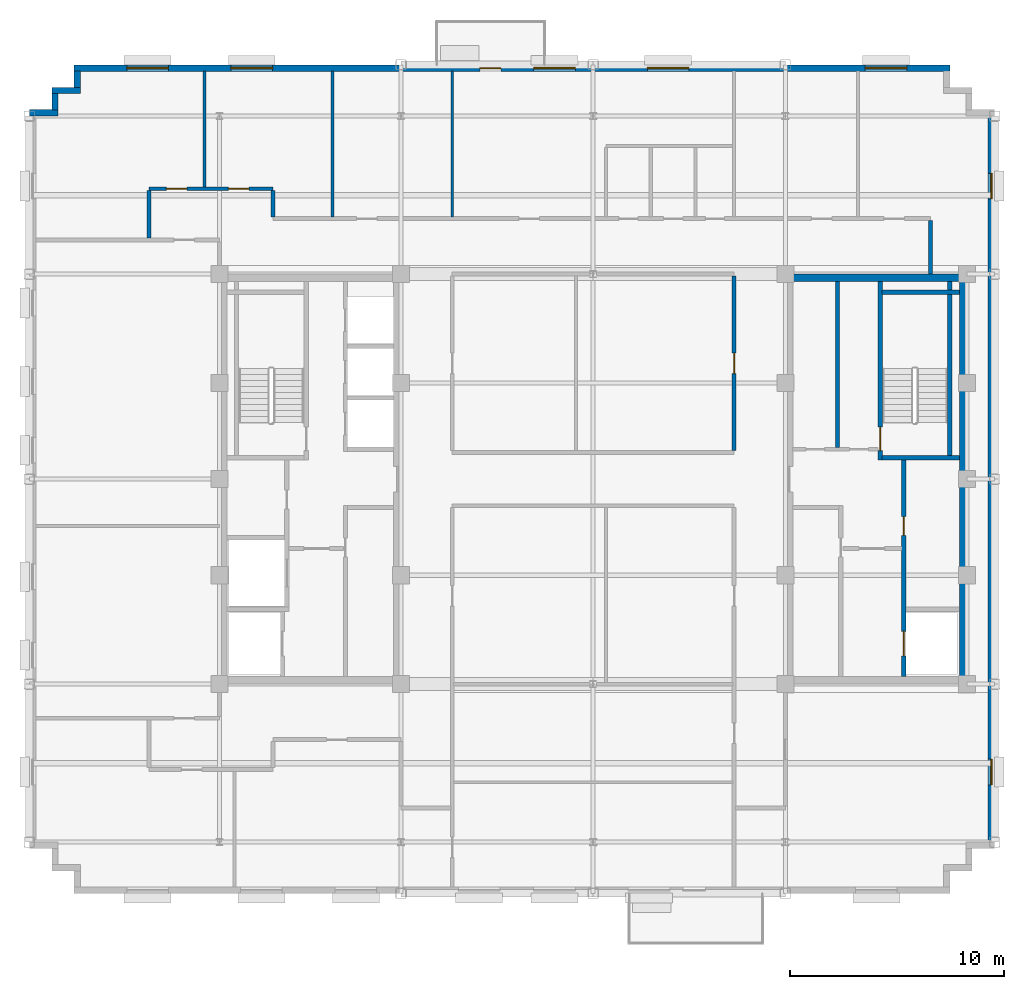
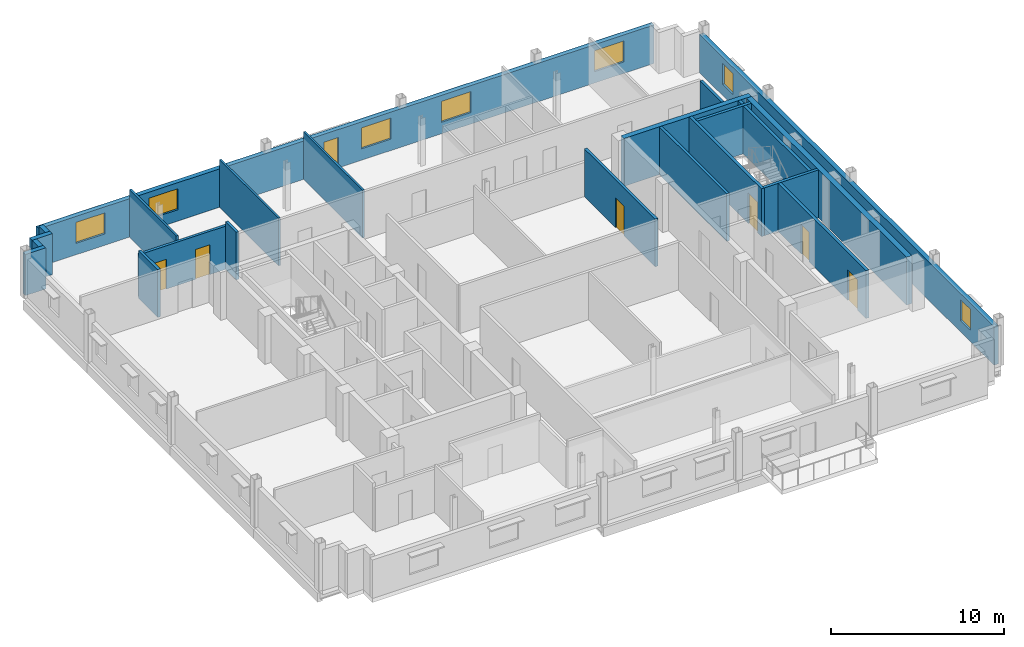
# One storey, part 8 of 13: 22 walls, 7 doors, 7 windows, 14 openings.
"""IFC4 building model written with IfcOpenShell, lengths in metres."""

import ifcopenshell
import ifcopenshell.guid

model = None  # the IFC model being written
_history = None  # IfcOwnerHistory: only IFC2X3 demands one
_inside = {}  # id of a spatial element -> (the spatial element, [elements in it])
_under = {}  # id of a project, library or spatial element -> (it, [spatial elements below it])
_declared = {}  # id of a project -> (the project, [libraries it declares])
_typed = {}  # id of a type object -> (the type object, [elements of that type])
_made_of = {}  # id of a material, layer set ... -> (it, [elements and type objects made of it])


def new_model(schema):
    """Start an empty IFC model of exactly this schema.

    Asked for "IFC4X3", IfcOpenShell would pick the latest addendum, in which some entities
    have other attributes; the version numbers below select the first issue.
    IFC2X3 requires an IfcOwnerHistory on every rooted entity: one is made here for all.
    """
    global model, _history
    if schema == "IFC4X3":
        model = ifcopenshell.file(schema_version=(4, 3, 0, 0))
    else:
        model = ifcopenshell.file(schema=schema)
    _inside.clear()
    _under.clear()
    _declared.clear()
    _typed.clear()
    _made_of.clear()
    _history = None
    if model.schema == "IFC2X3":
        org = make("IfcOrganization", Name="unknown")
        user = make(
            "IfcPersonAndOrganization",
            ThePerson=make("IfcPerson", FamilyName="unknown"),
            TheOrganization=org,
        )
        app = make(
            "IfcApplication",
            ApplicationDeveloper=org,
            Version="unknown",
            ApplicationFullName="unknown",
            ApplicationIdentifier="unknown",
        )
        _history = make(
            "IfcOwnerHistory",
            OwningUser=user,
            OwningApplication=app,
            ChangeAction="ADDED",
            CreationDate=0,
        )
    return model


def make(cls, **values):
    """One entity of the class cls with the attributes given. An attribute that is None is left unset."""
    return model.create_entity(
        cls, **{name: value for name, value in values.items() if value is not None}
    )


def rooted(cls, **values):
    """An entity with a GlobalId (a new one), such as an element, a storey or a relation."""
    return make(cls, GlobalId=ifcopenshell.guid.new(), OwnerHistory=_history, **values)


def si_unit(unit_type, name, prefix=None):
    """IfcSIUnit, for example si_unit("LENGTHUNIT", "METRE", prefix="MILLI")."""
    return make("IfcSIUnit", UnitType=unit_type, Prefix=prefix, Name=name)


def assignment(units):
    """IfcUnitAssignment: the units of a project."""
    return None if units is None else make("IfcUnitAssignment", Units=units)


def point(xyz):
    """IfcCartesianPoint."""
    return None if xyz is None else make("IfcCartesianPoint", Coordinates=xyz)


def direction(xyz):
    """IfcDirection."""
    return None if xyz is None else make("IfcDirection", DirectionRatios=xyz)


def frame(location, z_axis=None, x_axis=None):
    """IfcAxis2Placement3D, a coordinate frame: its origin and axes. An axis left out is left unset."""
    return make(
        "IfcAxis2Placement3D",
        Location=point(location),
        Axis=direction(z_axis),
        RefDirection=direction(x_axis),
    )


def frame_2d(location, x_axis=None):
    """IfcAxis2Placement2D, a coordinate frame in the plane: its origin and x axis."""
    return make(
        "IfcAxis2Placement2D", Location=point(location), RefDirection=direction(x_axis)
    )


def origin():
    """The frame at (0, 0, 0) with its axes left unset."""
    return frame((0.0, 0.0, 0.0))


def place(relative_to, where):
    """IfcLocalPlacement: puts the frame where relative to a parent placement (None: the world)."""
    return make(
        "IfcLocalPlacement", PlacementRelTo=relative_to, RelativePlacement=where
    )


def context(
    kind, dimensions, precision=None, world=None, true_north=None, identifier=None
):
    """IfcGeometricRepresentationContext, for example the 3D "Model" context."""
    return make(
        "IfcGeometricRepresentationContext",
        ContextIdentifier=identifier,
        ContextType=kind,
        CoordinateSpaceDimension=dimensions,
        Precision=precision,
        WorldCoordinateSystem=world,
        TrueNorth=true_north,
    )


def subcontext(parent, identifier, kind, view, scale=None):
    """IfcGeometricRepresentationSubContext, for example "Body" below "Model"."""
    return make(
        "IfcGeometricRepresentationSubContext",
        ContextIdentifier=identifier,
        ContextType=kind,
        ParentContext=parent,
        TargetScale=scale,
        TargetView=view,
    )


def project(units=None, contexts=None):
    """IfcProject with its units and contexts."""
    return rooted(
        "IfcProject",
        Name="project",
        RepresentationContexts=contexts,
        UnitsInContext=assignment(units),
    )


def spatial(cls, under=None, at=None, **own):
    """A site, building, storey or space (cls), placed at a placement, below another one or the project."""
    s = rooted(cls, ObjectPlacement=at, **own)
    if under is not None:
        _under.setdefault(under.id(), (under, []))[1].append(s)
    return s


def profile(cls, at=None, kind="AREA", **sizes):
    """A parametric profile (cls). Its sizes go by their IFC names, for example OverallWidth=200.0."""
    return make(cls, ProfileType=kind, Position=at, **sizes)


def rectangle(**sizes):
    """IfcRectangleProfileDef."""
    return profile("IfcRectangleProfileDef", **sizes)


def extrude(swept, where, along, depth):
    """IfcExtrudedAreaSolid: the profile swept, set in the frame where, extruded along a direction by depth."""
    return make(
        "IfcExtrudedAreaSolid",
        SweptArea=swept,
        Position=where,
        ExtrudedDirection=direction(along),
        Depth=depth,
    )


def shape(context_of_items, identifier, shape_type, items):
    """IfcShapeRepresentation: the items that make up one representation, for example the "Body"."""
    return make(
        "IfcShapeRepresentation",
        ContextOfItems=context_of_items,
        RepresentationIdentifier=identifier,
        RepresentationType=shape_type,
        Items=items,
    )


def source(mapping_origin, context_of_items, identifier, shape_type, items):
    """IfcRepresentationMap: a shape defined once, which mapped items show again and again."""
    return make(
        "IfcRepresentationMap",
        MappingOrigin=mapping_origin,
        MappedRepresentation=shape(context_of_items, identifier, shape_type, items),
    )


def transform(
    local_origin,
    x_axis=None,
    y_axis=None,
    z_axis=None,
    scale=None,
    scale2=None,
    scale3=None,
    uniform=True,
):
    """IfcCartesianTransformationOperator3D, or its non-uniform kind. x_axis, y_axis, z_axis: its Axis1, 2, 3."""
    if uniform:
        return make(
            "IfcCartesianTransformationOperator3D",
            Axis1=direction(x_axis),
            Axis2=direction(y_axis),
            LocalOrigin=point(local_origin),
            Scale=scale,
            Axis3=direction(z_axis),
        )
    return make(
        "IfcCartesianTransformationOperator3DnonUniform",
        Axis1=direction(x_axis),
        Axis2=direction(y_axis),
        LocalOrigin=point(local_origin),
        Scale=scale,
        Axis3=direction(z_axis),
        Scale2=scale2,
        Scale3=scale3,
    )


def mapped(mapping_source, mapping_target):
    """IfcMappedItem: shows the shape of a source again, moved by a transform."""
    return make(
        "IfcMappedItem", MappingSource=mapping_source, MappingTarget=mapping_target
    )


def material(Name=None, Category=None):
    """IfcMaterial."""
    return make("IfcMaterial", Name=Name, Category=Category)


def layer(
    of_material, thickness, ventilated=None, Name=None, Category=None, Priority=None
):
    """IfcMaterialLayer: one layer of a wall or slab, of a material (None: an air gap)."""
    return make(
        "IfcMaterialLayer",
        Material=of_material,
        LayerThickness=thickness,
        IsVentilated=ventilated,
        Name=Name,
        Category=Category,
        Priority=Priority,
    )


def layer_set(layers, Name=None):
    """IfcMaterialLayerSet."""
    return make("IfcMaterialLayerSet", MaterialLayers=layers, LayerSetName=Name)


def made_of(thing, what):
    """Note that an element or type object is made of a material, layer set ...; save() writes the relation."""
    if what is not None:
        _made_of.setdefault(what.id(), (what, []))[1].append(thing)
    return thing


def type_object(cls, material=None, **own):
    """A type object (cls), such as IfcWallType, which elements share."""
    return made_of(rooted(cls, **own), material)


def type_shapes(of_type, sources):
    """Give a type object the sources (RepresentationMaps) that its elements show as mapped items."""
    of_type.RepresentationMaps = sources


def element(
    cls,
    number,
    at=None,
    inside=None,
    cuts=None,
    type_object=None,
    material=None,
    context=None,
    identifier="Body",
    shape_type=None,
    held_by="IfcProductDefinitionShape",
    body=None,
    shapes=None,
    **own,
):
    """One element of the class cls, such as IfcWall. Its Tag is "e" and its number.

    at: its placement. inside: the storey or other place that contains it. cuts: it is an
    opening in that element (IfcRelVoidsElement). A single representation is given by context,
    identifier, shape_type and body (its items); several are given by shapes. held_by: the class
    of the entity that holds the representations. save() writes the other relations.
    """
    e = rooted(cls, Tag="e%d" % number, ObjectPlacement=at, **own)
    if body is not None:
        shapes = [shape(context, identifier, shape_type, body)]
    if shapes is not None:
        e.Representation = make(held_by, Representations=shapes)
    if inside is not None:
        _inside.setdefault(inside.id(), (inside, []))[1].append(e)
    if cuts is not None:
        rooted(
            "IfcRelVoidsElement", RelatingBuildingElement=cuts, RelatedOpeningElement=e
        )
    if type_object is not None:
        _typed.setdefault(type_object.id(), (type_object, []))[1].append(e)
    return made_of(e, material)


def fill(opening, filler):
    """IfcRelFillsElement: the door or window that sits in an opening."""
    return rooted(
        "IfcRelFillsElement",
        RelatingOpeningElement=opening,
        RelatedBuildingElement=filler,
    )


def aggregate(whole, parts):
    """IfcRelAggregates: a whole, such as a stair, and the parts it consists of."""
    return rooted("IfcRelAggregates", RelatingObject=whole, RelatedObjects=parts)


def save(model, path):
    """Write the relations noted so far, then the file.

    IfcRelAggregates (storeys below a building ...), IfcRelContainedInSpatialStructure (elements
    in a storey), IfcRelDefinesByType, IfcRelAssociatesMaterial and IfcRelDeclares: one each for
    every whole, place, type object, material and project.
    """
    for whole, parts in _under.values():
        aggregate(whole, parts)
    for where, things in _inside.values():
        rooted(
            "IfcRelContainedInSpatialStructure",
            RelatedElements=things,
            RelatingStructure=where,
        )
    for kind, things in _typed.values():
        rooted("IfcRelDefinesByType", RelatedObjects=things, RelatingType=kind)
    for what, things in _made_of.values():
        rooted("IfcRelAssociatesMaterial", RelatedObjects=things, RelatingMaterial=what)
    for by, libraries in _declared.values():
        rooted("IfcRelDeclares", RelatingContext=by, RelatedDefinitions=libraries)
    model.write(path)


model = new_model("IFC4")

# Units and contexts
model_context = context("Model", 3, precision=1e-05, world=origin(), true_north=direction((0.0, 1.0)))
body_context = subcontext(model_context, "Body", "Model", "MODEL_VIEW")
ifc_project = project(units=[si_unit("LENGTHUNIT", "METRE"), si_unit("AREAUNIT", "SQUARE_METRE"), si_unit("VOLUMEUNIT", "CUBIC_METRE"), si_unit("PLANEANGLEUNIT", "RADIAN"), si_unit("MASSUNIT", "GRAM", prefix="KILO")], contexts=[model_context])

# Site, building, storey
site_placement = place(None, origin())
site = spatial("IfcSite", under=ifc_project, at=site_placement, CompositionType="ELEMENT")
building_placement = place(site_placement, origin())
building = spatial("IfcBuilding", under=site, at=building_placement, Name="Nuvemarco Arch Tower", CompositionType="ELEMENT")
storey_placement = place(building_placement, frame((0.0, 0.0, 234.699951171875)))
storey = spatial("IfcBuildingStorey", under=building, at=storey_placement, Name="L62", CompositionType="ELEMENT", Elevation=234.699951171875)

# Wall, openings, windows
ifc_material_1 = material(Name="Precast concrete C45/55", Category="concrete")
ifc_layer_1 = layer(ifc_material_1, 0.300048828125, Name="EW-HIGH-300")
ifc_layer_set_1 = layer_set([ifc_layer_1], Name="Precast concrete C45/55")
wall_type_1 = type_object("IfcWallType", Name="EW-HIGH-300", PredefinedType="STANDARD", material=ifc_layer_set_1)
wall_1_placement = place(storey_placement, frame((18.64990234375, -17.00390625, 0.0), z_axis=(0.0, 0.0, 1.0), x_axis=(0.0, 1.0, 0.0)))
wall_1 = element("IfcWall", 1, at=wall_1_placement, inside=storey, type_object=wall_type_1, Name="L62 exterior precast facade wall 6", PredefinedType="STANDARD", context=body_context, shape_type="SweptSolid", body=[
    extrude(rectangle(XDim=34.0078125, YDim=0.300048828125, at=frame_2d((17.00390625, 0.0))), origin(), (0.0, 0.0, 1.0), 2.705078125),
])
opening_1_placement = place(wall_1_placement, frame((2.686279296875, 0.0, 0.800048828125)))
opening_1 = element("IfcOpeningElement", 2, at=opening_1_placement, cuts=wall_1, Name="Opening WN-8", PredefinedType="OPENING", context=body_context, shape_type="SweptSolid", body=[
    extrude(rectangle(XDim=1.199951171875, YDim=1.47998046875, at=frame_2d((0.60009765625, 0.739990234375))), frame((0.0, 0.159912109375, 0.0), z_axis=(0.0, -1.0, 0.0), x_axis=(1.0, 0.0, 0.0)), (0.0, 0.0, 1.0), 0.320068359375),
])
opening_2_placement = place(wall_1_placement, frame((30.12158203125, 0.0, 0.800048828125)))
opening_2 = element("IfcOpeningElement", 3, at=opening_2_placement, cuts=wall_1, Name="Opening WN-8", PredefinedType="OPENING", context=body_context, shape_type="SweptSolid", body=[
    extrude(rectangle(XDim=1.199951171875, YDim=1.47998046875, at=frame_2d((0.60009765625, 0.739990234375))), frame((0.0, 0.159912109375, 0.0), z_axis=(0.0, -1.0, 0.0), x_axis=(1.0, 0.0, 0.0)), (0.0, 0.0, 1.0), 0.320068359375),
])
ifc_material_2 = material(Name="Insulated solar-control glass", Category="glass")
window_type_1 = type_object("IfcWindowType", Name="WN-HIGH-1200x1480", PartitioningType="SINGLE_PANEL", PredefinedType="WINDOW", material=ifc_material_2)
shared_shape_1 = source(origin(), body_context, "Body", "SweptSolid", [
    extrude(rectangle(XDim=1.199951171875, YDim=1.47998046875, at=frame_2d((0.60009765625, 0.739990234375))), frame((0.0, 0.030029296875, 0.0), z_axis=(0.0, -1.0, 0.0), x_axis=(1.0, 0.0, 0.0)), (0.0, 0.0, 1.0), 0.06005859375),
])
type_shapes(window_type_1, [shared_shape_1])
window_1_placement = place(opening_1_placement, origin())
window_1 = element("IfcWindow", 4, at=window_1_placement, inside=storey, type_object=window_type_1, Name="L62 punched facade window 1", OverallHeight=1.47998046875, OverallWidth=1.199951171875, PartitioningType="SINGLE_PANEL", PredefinedType="WINDOW", context=body_context, shape_type="MappedRepresentation", body=[
    mapped(shared_shape_1, transform((0.0, 0.0, 0.0), scale=1.0)),
])
fill(opening_1, window_1)
window_2_placement = place(opening_2_placement, origin())
window_2 = element("IfcWindow", 5, at=window_2_placement, inside=storey, type_object=window_type_1, Name="L62 punched facade window 7", OverallHeight=1.47998046875, OverallWidth=1.199951171875, PartitioningType="SINGLE_PANEL", PredefinedType="WINDOW", context=body_context, shape_type="MappedRepresentation", body=[
    mapped(shared_shape_1, transform((0.0, 0.0, 0.0), scale=1.0)),
])
fill(opening_2, window_2)

# Wall, openings, door, windows
wall_2_placement = place(storey_placement, frame((-24.300048828125, 19.25, 0.0), z_axis=(0.0, 0.0, 1.0), x_axis=(1.0, 0.0, 0.0)))
wall_2 = element("IfcWall", 6, at=wall_2_placement, inside=storey, type_object=wall_type_1, Name="L62 exterior precast facade wall 11", PredefinedType="STANDARD", context=body_context, shape_type="SweptSolid", body=[
    extrude(rectangle(XDim=41.0, YDim=0.300048828125, at=frame_2d((20.5, 0.0))), origin(), (0.0, 0.0, 1.0), 2.705078125),
])
opening_3_placement = place(wall_2_placement, frame((19.0, 0.0, 0.0)))
opening_3 = element("IfcOpeningElement", 7, at=opening_3_placement, cuts=wall_2, Name="Opening ED-6", PredefinedType="OPENING", context=body_context, shape_type="SweptSolid", body=[
    extrude(rectangle(XDim=0.97998046875, YDim=2.14990234375, at=frame_2d((0.489990234375, 1.074951171875))), frame((0.0, 0.159912109375, 0.0), z_axis=(0.0, -1.0, 0.0), x_axis=(1.0, 0.0, 0.0)), (0.0, 0.0, 1.0), 0.320068359375),
])
opening_4_placement = place(wall_2_placement, frame((2.46240234375, 0.0, 0.800048828125)))
opening_4 = element("IfcOpeningElement", 8, at=opening_4_placement, cuts=wall_2, Name="Opening WN-7", PredefinedType="OPENING", context=body_context, shape_type="SweptSolid", body=[
    extrude(rectangle(XDim=1.949951171875, YDim=1.47998046875, at=frame_2d((0.97509765625, 0.739990234375))), frame((0.0, 0.159912109375, 0.0), z_axis=(0.0, -1.0, 0.0), x_axis=(1.0, 0.0, 0.0)), (0.0, 0.0, 1.0), 0.320068359375),
])
opening_5_placement = place(wall_2_placement, frame((7.33740234375, 0.0, 0.800048828125)))
opening_5 = element("IfcOpeningElement", 9, at=opening_5_placement, cuts=wall_2, Name="Opening WN-7", PredefinedType="OPENING", context=body_context, shape_type="SweptSolid", body=[
    extrude(rectangle(XDim=1.949951171875, YDim=1.47998046875, at=frame_2d((0.97509765625, 0.739990234375))), frame((0.0, 0.159912109375, 0.0), z_axis=(0.0, -1.0, 0.0), x_axis=(1.0, 0.0, 0.0)), (0.0, 0.0, 1.0), 0.320068359375),
])
opening_6_placement = place(wall_2_placement, frame((21.512451171875, 0.0, 0.800048828125)))
opening_6 = element("IfcOpeningElement", 10, at=opening_6_placement, cuts=wall_2, Name="Opening WN-7", PredefinedType="OPENING", context=body_context, shape_type="SweptSolid", body=[
    extrude(rectangle(XDim=1.949951171875, YDim=1.47998046875, at=frame_2d((0.97509765625, 0.739990234375))), frame((0.0, 0.159912109375, 0.0), z_axis=(0.0, -1.0, 0.0), x_axis=(1.0, 0.0, 0.0)), (0.0, 0.0, 1.0), 0.320068359375),
])
opening_7_placement = place(wall_2_placement, frame((26.83740234375, 0.0, 0.800048828125)))
opening_7 = element("IfcOpeningElement", 11, at=opening_7_placement, cuts=wall_2, Name="Opening WN-7", PredefinedType="OPENING", context=body_context, shape_type="SweptSolid", body=[
    extrude(rectangle(XDim=1.949951171875, YDim=1.47998046875, at=frame_2d((0.97509765625, 0.739990234375))), frame((0.0, 0.159912109375, 0.0), z_axis=(0.0, -1.0, 0.0), x_axis=(1.0, 0.0, 0.0)), (0.0, 0.0, 1.0), 0.320068359375),
])
opening_8_placement = place(wall_2_placement, frame((37.03759765625, 0.0, 0.800048828125)))
opening_8 = element("IfcOpeningElement", 12, at=opening_8_placement, cuts=wall_2, Name="Opening WN-7", PredefinedType="OPENING", context=body_context, shape_type="SweptSolid", body=[
    extrude(rectangle(XDim=1.949951171875, YDim=1.47998046875, at=frame_2d((0.97509765625, 0.739990234375))), frame((0.0, 0.159912109375, 0.0), z_axis=(0.0, -1.0, 0.0), x_axis=(1.0, 0.0, 0.0)), (0.0, 0.0, 1.0), 0.320068359375),
])
ifc_material_3 = material(Name="Anodised bronze and laminated glass", Category="glass")
door_type_1 = type_object("IfcDoorType", Name="DR-EXT-BALC", OperationType="NOTDEFINED", PredefinedType="DOOR", material=ifc_material_3)
shared_shape_2 = source(origin(), body_context, "Body", "SweptSolid", [
    extrude(rectangle(XDim=0.97998046875, YDim=2.14990234375, at=frame_2d((0.489990234375, 1.074951171875))), frame((0.0, 0.02490234375, 0.0), z_axis=(0.0, -1.0, 0.0), x_axis=(1.0, 0.0, 0.0)), (0.0, 0.0, 1.0), 0.050048828125),
])
type_shapes(door_type_1, [shared_shape_2])
door_1_placement = place(opening_3_placement, origin())
door_1 = element("IfcDoor", 13, at=door_1_placement, inside=storey, type_object=door_type_1, Name="L62 tree balcony access door", OperationType="SINGLE_SWING_LEFT", OverallHeight=2.14990234375, OverallWidth=0.97998046875, PredefinedType="DOOR", context=body_context, shape_type="MappedRepresentation", body=[
    mapped(shared_shape_2, transform((0.0, 0.0, 0.0), scale=1.0)),
])
fill(opening_3, door_1)
window_type_2 = type_object("IfcWindowType", Name="WN-HIGH-1950x1480", PartitioningType="DOUBLE_PANEL_VERTICAL", PredefinedType="WINDOW", material=ifc_material_2)
shared_shape_3 = source(origin(), body_context, "Body", "SweptSolid", [
    extrude(rectangle(XDim=1.949951171875, YDim=1.47998046875, at=frame_2d((0.97509765625, 0.739990234375))), frame((0.0, 0.030029296875, 0.0), z_axis=(0.0, -1.0, 0.0), x_axis=(1.0, 0.0, 0.0)), (0.0, 0.0, 1.0), 0.06005859375),
])
type_shapes(window_type_2, [shared_shape_3])
window_3_placement = place(opening_4_placement, origin())
window_3 = element("IfcWindow", 14, at=window_3_placement, inside=storey, type_object=window_type_2, Name="L62 punched facade window 1", OverallHeight=1.47998046875, OverallWidth=1.949951171875, PartitioningType="SINGLE_PANEL", PredefinedType="WINDOW", context=body_context, shape_type="MappedRepresentation", body=[
    mapped(shared_shape_3, transform((0.0, 0.0, 0.0), scale=1.0)),
])
fill(opening_4, window_3)
window_4_placement = place(opening_5_placement, origin())
window_4 = element("IfcWindow", 15, at=window_4_placement, inside=storey, type_object=window_type_2, Name="L62 punched facade window 2", OverallHeight=1.47998046875, OverallWidth=1.949951171875, PartitioningType="SINGLE_PANEL", PredefinedType="WINDOW", context=body_context, shape_type="MappedRepresentation", body=[
    mapped(shared_shape_3, transform((0.0, 0.0, 0.0), scale=1.0)),
])
fill(opening_5, window_4)
window_5_placement = place(opening_6_placement, origin())
window_5 = element("IfcWindow", 16, at=window_5_placement, inside=storey, type_object=window_type_2, Name="L62 punched facade window 5", OverallHeight=1.47998046875, OverallWidth=1.949951171875, PartitioningType="SINGLE_PANEL", PredefinedType="WINDOW", context=body_context, shape_type="MappedRepresentation", body=[
    mapped(shared_shape_3, transform((0.0, 0.0, 0.0), scale=1.0)),
])
fill(opening_6, window_5)
window_6_placement = place(opening_7_placement, origin())
window_6 = element("IfcWindow", 17, at=window_6_placement, inside=storey, type_object=window_type_2, Name="L62 punched facade window 6", OverallHeight=1.47998046875, OverallWidth=1.949951171875, PartitioningType="SINGLE_PANEL", PredefinedType="WINDOW", context=body_context, shape_type="MappedRepresentation", body=[
    mapped(shared_shape_3, transform((0.0, 0.0, 0.0), scale=1.0)),
])
fill(opening_7, window_6)
window_7_placement = place(opening_8_placement, origin())
window_7 = element("IfcWindow", 18, at=window_7_placement, inside=storey, type_object=window_type_2, Name="L62 punched facade window 8", OverallHeight=1.47998046875, OverallWidth=1.949951171875, PartitioningType="SINGLE_PANEL", PredefinedType="WINDOW", context=body_context, shape_type="MappedRepresentation", body=[
    mapped(shared_shape_3, transform((0.0, 0.0, 0.0), scale=1.0)),
])
fill(opening_8, window_7)

# Walls
wall_3_placement = place(storey_placement, frame((-24.14990234375, 18.345947265625, 0.0), z_axis=(0.0, 0.0, 1.0), x_axis=(0.0, 1.0, 0.0)))
element("IfcWall", 19, at=wall_3_placement, inside=storey, type_object=wall_type_1, Name="L62 exterior precast facade wall 12", PredefinedType="STANDARD", context=body_context, shape_type="SweptSolid", body=[
    extrude(rectangle(XDim=0.758056640625, YDim=0.300048828125, at=frame_2d((0.37890625, 0.0))), origin(), (0.0, 0.0, 1.0), 2.89208984375),
])
wall_4_placement = place(storey_placement, frame((-25.35009765625, 18.199951171875, 0.0), z_axis=(0.0, 0.0, 1.0), x_axis=(1.0, 0.0, 0.0)))
element("IfcWall", 20, at=wall_4_placement, inside=storey, type_object=wall_type_1, Name="L62 exterior precast facade wall 13", PredefinedType="STANDARD", context=body_context, shape_type="SweptSolid", body=[
    extrude(rectangle(XDim=1.35009765625, YDim=0.300048828125, at=frame_2d((0.675048828125, 0.0))), origin(), (0.0, 0.0, 1.0), 2.89208984375),
])
wall_5_placement = place(storey_placement, frame((-25.199951171875, 17.2958984375, 0.0), z_axis=(0.0, 0.0, 1.0), x_axis=(0.0, 1.0, 0.0)))
element("IfcWall", 21, at=wall_5_placement, inside=storey, type_object=wall_type_1, Name="L62 exterior precast facade wall 14", PredefinedType="STANDARD", context=body_context, shape_type="SweptSolid", body=[
    extrude(rectangle(XDim=0.758056640625, YDim=0.300048828125, at=frame_2d((0.37890625, 0.0))), origin(), (0.0, 0.0, 1.0), 2.89208984375),
])
wall_6_placement = place(storey_placement, frame((-26.39990234375, 17.14990234375, 0.0), z_axis=(0.0, 0.0, 1.0), x_axis=(1.0, 0.0, 0.0)))
element("IfcWall", 22, at=wall_6_placement, inside=storey, type_object=wall_type_1, Name="L62 exterior precast facade wall 15", PredefinedType="STANDARD", context=body_context, shape_type="SweptSolid", body=[
    extrude(rectangle(XDim=1.349853515625, YDim=0.300048828125, at=frame_2d((0.6748046875, 0.0))), origin(), (0.0, 0.0, 1.0), 2.89208984375),
])
ifc_material_4 = material(Name="Concrete C50/60", Category="concrete")
ifc_layer_2 = layer(ifc_material_4, 0.35009765625, Name="WL-CORE-350")
ifc_layer_set_2 = layer_set([ifc_layer_2], Name="Concrete C50/60")
wall_type_2 = type_object("IfcWallType", Name="WL-CORE-350", PredefinedType="SHEAR", material=ifc_layer_set_2)
wall_7_placement = place(storey_placement, frame((9.0, 9.425048828125, 0.0), z_axis=(0.0, 0.0, 1.0), x_axis=(1.0, 0.0, 0.0)))
element("IfcWall", 23, at=wall_7_placement, inside=storey, type_object=wall_type_2, Name="L62 E-core shear wall N", PredefinedType="SHEAR", context=body_context, shape_type="SweptSolid", body=[
    extrude(rectangle(XDim=8.5, YDim=0.35009765625, at=frame_2d((4.25, 0.0))), origin(), (0.0, 0.0, 1.0), 3.3701171875),
])
wall_8_placement = place(storey_placement, frame((17.324951171875, -9.2548828125, 0.0), z_axis=(0.0, 0.0, 1.0), x_axis=(0.0, 1.0, 0.0)))
element("IfcWall", 24, at=wall_8_placement, inside=storey, type_object=wall_type_2, Name="L62 E-core shear wall E", PredefinedType="SHEAR", context=body_context, shape_type="SweptSolid", body=[
    extrude(rectangle(XDim=18.509765625, YDim=0.35009765625, at=frame_2d((9.2548828125, 0.0))), origin(), (0.0, 0.0, 1.0), 3.3701171875),
])
ifc_material_5 = material(Name="Fire-rated gypsum drywall partition")
ifc_layer_3 = layer(ifc_material_5, 0.179931640625, Name="WL-CORR-180")
ifc_layer_set_3 = layer_set([ifc_layer_3], Name="Fire-rated gypsum drywall partition")
wall_type_3 = type_object("IfcWallType", Name="WL-CORR-180", PredefinedType="PARTITIONING", material=ifc_layer_set_3)
wall_9_placement = place(storey_placement, frame((11.449951171875, 1.489990234375, 0.0), z_axis=(0.0, 0.0, 1.0), x_axis=(0.0, 1.0, 0.0)))
element("IfcWall", 25, at=wall_9_placement, inside=storey, type_object=wall_type_3, Name="L62 interior wall IW-L62-EK2", PredefinedType="PARTITIONING", context=body_context, shape_type="SweptSolid", body=[
    extrude(rectangle(XDim=7.764892578125, YDim=0.179931640625, at=frame_2d((3.88232421875, 0.0))), origin(), (0.0, 0.0, 1.0), 3.360107421875),
])

# Wall, openings, doors
wall_10_placement = place(storey_placement, frame((-20.800048828125, 13.60009765625, 0.0), z_axis=(0.0, 0.0, 1.0), x_axis=(1.0, 0.0, 0.0)))
wall_10 = element("IfcWall", 26, at=wall_10_placement, inside=storey, type_object=wall_type_3, Name="L62 interior wall IW-L62-016", PredefinedType="PARTITIONING", context=body_context, shape_type="SweptSolid", body=[
    extrude(rectangle(XDim=5.800048828125, YDim=0.179931640625, at=frame_2d((2.89990234375, 0.0))), origin(), (0.0, 0.0, 1.0), 3.049072265625),
])
opening_9_placement = place(wall_10_placement, frame((3.719970703125, 0.0, 0.0)))
opening_9 = element("IfcOpeningElement", 27, at=opening_9_placement, cuts=wall_10, Name="Opening FD-5", PredefinedType="OPENING", context=body_context, shape_type="SweptSolid", body=[
    extrude(rectangle(XDim=0.9599609375, YDim=2.10009765625, at=frame_2d((0.47998046875, 1.050048828125))), frame((0.0, 0.099853515625, 0.0), z_axis=(0.0, -1.0, 0.0), x_axis=(1.0, 0.0, 0.0)), (0.0, 0.0, 1.0), 0.199951171875),
])
opening_10_placement = place(wall_10_placement, frame((0.820068359375, 0.0, 0.0)))
opening_10 = element("IfcOpeningElement", 28, at=opening_10_placement, cuts=wall_10, Name="Opening FD-5", PredefinedType="OPENING", context=body_context, shape_type="SweptSolid", body=[
    extrude(rectangle(XDim=0.9599609375, YDim=2.10009765625, at=frame_2d((0.47998046875, 1.050048828125))), frame((0.0, 0.099853515625, 0.0), z_axis=(0.0, -1.0, 0.0), x_axis=(1.0, 0.0, 0.0)), (0.0, 0.0, 1.0), 0.199951171875),
])
ifc_material_6 = material(Name="Timber fire door", Category="wood")
door_type_2 = type_object("IfcDoorType", Name="DR-CORR-FD", OperationType="NOTDEFINED", PredefinedType="DOOR", material=ifc_material_6)
shared_shape_4 = source(origin(), body_context, "Body", "SweptSolid", [
    extrude(rectangle(XDim=0.9599609375, YDim=2.10009765625, at=frame_2d((0.47998046875, 1.050048828125))), frame((0.0, 0.02490234375, 0.0), z_axis=(0.0, -1.0, 0.0), x_axis=(1.0, 0.0, 0.0)), (0.0, 0.0, 1.0), 0.050048828125),
])
type_shapes(door_type_2, [shared_shape_4])
door_2_placement = place(opening_9_placement, origin())
door_2 = element("IfcDoor", 29, at=door_2_placement, inside=storey, type_object=door_type_2, Name="L62 door DR-L62-N_2", OperationType="SINGLE_SWING_LEFT", OverallHeight=2.10009765625, OverallWidth=0.9599609375, PredefinedType="DOOR", context=body_context, shape_type="MappedRepresentation", body=[
    mapped(shared_shape_4, transform((0.0, 0.0, 0.0), scale=1.0)),
])
fill(opening_9, door_2)
door_3_placement = place(opening_10_placement, origin())
door_3 = element("IfcDoor", 30, at=door_3_placement, inside=storey, type_object=door_type_2, Name="L62 door DR-L62-N_1", OperationType="SINGLE_SWING_LEFT", OverallHeight=2.10009765625, OverallWidth=0.9599609375, PredefinedType="DOOR", context=body_context, shape_type="MappedRepresentation", body=[
    mapped(shared_shape_4, transform((0.0, 0.0, 0.0), scale=1.0)),
])
fill(opening_10, door_3)

# Walls
wall_11_placement = place(storey_placement, frame((-20.800048828125, 11.285888671875, 0.0), z_axis=(0.0, 0.0, 1.0), x_axis=(0.0, 1.0, 0.0)))
element("IfcWall", 31, at=wall_11_placement, inside=storey, type_object=wall_type_3, Name="L62 interior wall IW-L62-019", PredefinedType="PARTITIONING", context=body_context, shape_type="SweptSolid", body=[
    extrude(rectangle(XDim=2.22802734375, YDim=0.179931640625, at=frame_2d((1.114013671875, 0.0))), origin(), (0.0, 0.0, 1.0), 3.360107421875),
])
wall_12_placement = place(storey_placement, frame((-15.0, 12.285888671875, 0.0), z_axis=(0.0, 0.0, 1.0), x_axis=(0.0, 1.0, 0.0)))
element("IfcWall", 32, at=wall_12_placement, inside=storey, type_object=wall_type_3, Name="L62 interior wall IW-L62-025", PredefinedType="PARTITIONING", context=body_context, shape_type="SweptSolid", body=[
    extrude(rectangle(XDim=1.22802734375, YDim=0.179931640625, at=frame_2d((0.614013671875, 0.0))), origin(), (0.0, 0.0, 1.0), 3.360107421875),
])

# Wall, opening, door
wall_13_placement = place(storey_placement, frame((6.60009765625, 1.3359375, 0.0), z_axis=(0.0, 0.0, 1.0), x_axis=(0.0, 1.0, 0.0)))
wall_13 = element("IfcWall", 33, at=wall_13_placement, inside=storey, type_object=wall_type_3, Name="L62 interior wall IW-L62-037", PredefinedType="PARTITIONING", context=body_context, shape_type="SweptSolid", body=[
    extrude(rectangle(XDim=8.177978515625, YDim=0.179931640625, at=frame_2d((4.0888671875, 0.0))), origin(), (0.0, 0.0, 1.0), 3.360107421875),
])
opening_11_placement = place(wall_13_placement, frame((3.60888671875, 0.0, 0.0)))
opening_11 = element("IfcOpeningElement", 34, at=opening_11_placement, cuts=wall_13, Name="Opening FD-5", PredefinedType="OPENING", context=body_context, shape_type="SweptSolid", body=[
    extrude(rectangle(XDim=0.9599609375, YDim=2.10009765625, at=frame_2d((0.47998046875, 1.050048828125))), frame((0.0, 0.099853515625, 0.0), z_axis=(0.0, -1.0, 0.0), x_axis=(1.0, 0.0, 0.0)), (0.0, 0.0, 1.0), 0.199951171875),
])
door_4_placement = place(opening_11_placement, origin())
door_4 = element("IfcDoor", 35, at=door_4_placement, inside=storey, type_object=door_type_2, Name="L62 door DR-L62-C_N2", OperationType="SINGLE_SWING_LEFT", OverallHeight=2.10009765625, OverallWidth=0.9599609375, PredefinedType="DOOR", context=body_context, shape_type="MappedRepresentation", body=[
    mapped(shared_shape_4, transform((0.0, 0.0, 0.0), scale=1.0)),
])
fill(opening_11, door_4)

# Walls
wall_14_placement = place(storey_placement, frame((15.800048828125, 9.60009765625, 0.0), z_axis=(0.0, 0.0, 1.0), x_axis=(0.0, 1.0, 0.0)))
element("IfcWall", 36, at=wall_14_placement, inside=storey, type_object=wall_type_3, Name="L62 interior wall IW-L62-041", PredefinedType="PARTITIONING", context=body_context, shape_type="SweptSolid", body=[
    extrude(rectangle(XDim=2.513916015625, YDim=0.179931640625, at=frame_2d((1.2568359375, 0.0))), origin(), (0.0, 0.0, 1.0), 3.360107421875),
])
ifc_material_7 = material(Name="Glazed acoustic office partition")
ifc_layer_4 = layer(ifc_material_7, 0.1298828125, Name="WL-EXEC-130")
ifc_layer_set_4 = layer_set([ifc_layer_4], Name="Glazed acoustic office partition")
wall_type_4 = type_object("IfcWallType", Name="WL-EXEC-130", PredefinedType="PARTITIONING", material=ifc_layer_set_4)
for number, where, z_axis, x_axis, name in (
    (37, (-12.199951171875, 12.285888671875, 0.0), (0.0, 0.0, 1.0), (0.0, 1.0, 0.0), "L62 interior wall IW-L62-026"),
    (38, (-6.60009765625, 12.285888671875, 0.0), (0.0, 0.0, 1.0), (0.0, 1.0, 0.0), "L62 interior wall IW-L62-030"),
):
    element("IfcWall", number, at=place(storey_placement, frame(where, z_axis=z_axis, x_axis=x_axis)), inside=storey, type_object=wall_type_4, Name=name, PredefinedType="PARTITIONING", context=body_context, shape_type="SweptSolid", body=[
        extrude(rectangle(XDim=6.814208984375, YDim=0.1298828125, at=frame_2d((3.4072265625, 0.0))), origin(), (0.0, 0.0, 1.0), 3.360107421875),
    ])
ifc_material_8 = material(Name="Gypsum plasterboard partition")
ifc_layer_5 = layer(ifc_material_8, 0.139892578125, Name="WL-ROOM-140")
ifc_layer_set_5 = layer_set([ifc_layer_5], Name="Gypsum plasterboard partition")
wall_type_5 = type_object("IfcWallType", Name="WL-ROOM-140", PredefinedType="PARTITIONING", material=ifc_layer_set_5)
wall_15_placement = place(storey_placement, frame((-18.199951171875, 13.68603515625, 0.0), z_axis=(0.0, 0.0, 1.0), x_axis=(0.0, 1.0, 0.0)))
element("IfcWall", 39, at=wall_15_placement, inside=storey, type_object=wall_type_5, Name="L62 interior wall IW-L62-020", PredefinedType="PARTITIONING", context=body_context, shape_type="SweptSolid", body=[
    extrude(rectangle(XDim=5.4140625, YDim=0.139892578125, at=frame_2d((2.70703125, 0.0))), origin(), (0.0, 0.0, 1.0), 3.360107421875),
])

# Wall, opening, door
ifc_layer_6 = layer(ifc_material_4, 0.199951171875, Name="WL-SHAFT-220")
ifc_layer_set_6 = layer_set([ifc_layer_6], Name="Concrete C50/60")
wall_type_6 = type_object("IfcWallType", Name="WL-SHAFT-220", PredefinedType="SHEAR", material=ifc_layer_set_6)
wall_16_placement = place(storey_placement, frame((13.43994140625, 0.89990234375, 0.0), z_axis=(0.0, 0.0, 1.0), x_axis=(0.0, 1.0, 0.0)))
wall_16 = element("IfcWall", 40, at=wall_16_placement, inside=storey, type_object=wall_type_6, Name="L62 structural shaft wall SW-L62-E-ST2W", PredefinedType="SHEAR", context=body_context, shape_type="SweptSolid", body=[
    extrude(rectangle(XDim=8.35498046875, YDim=0.199951171875, at=frame_2d((4.177490234375, 0.0))), origin(), (0.0, 0.0, 1.0), 3.3701171875),
])
opening_12_placement = place(wall_16_placement, frame((0.429931640625, 0.0, 0.0)))
opening_12 = element("IfcOpeningElement", 41, at=opening_12_placement, cuts=wall_16, Name="Opening FD-1", PredefinedType="OPENING", context=body_context, shape_type="SweptSolid", body=[
    extrude(rectangle(XDim=1.10009765625, YDim=2.14990234375, at=frame_2d((0.550048828125, 1.074951171875))), frame((0.0, 0.10986328125, 0.0), z_axis=(0.0, -1.0, 0.0), x_axis=(1.0, 0.0, 0.0)), (0.0, 0.0, 1.0), 0.219970703125),
])
ifc_material_9 = material(Name="Anodised steel fire door", Category="steel")
door_type_3 = type_object("IfcDoorType", Name="DR-STAIR-FD", OperationType="NOTDEFINED", PredefinedType="DOOR", material=ifc_material_9)
shared_shape_5 = source(origin(), body_context, "Body", "SweptSolid", [
    extrude(rectangle(XDim=1.10009765625, YDim=2.14990234375, at=frame_2d((0.550048828125, 1.074951171875))), frame((0.0, 0.02490234375, 0.0), z_axis=(0.0, -1.0, 0.0), x_axis=(1.0, 0.0, 0.0)), (0.0, 0.0, 1.0), 0.050048828125),
])
type_shapes(door_type_3, [shared_shape_5])
door_5_placement = place(opening_12_placement, origin())
door_5 = element("IfcDoor", 42, at=door_5_placement, inside=storey, type_object=door_type_3, Name="L62 door FD-L62-ST2", OperationType="SINGLE_SWING_LEFT", OverallHeight=2.14990234375, OverallWidth=1.10009765625, PredefinedType="DOOR", context=body_context, shape_type="MappedRepresentation", body=[
    mapped(shared_shape_5, transform((0.0, 0.0, 0.0), scale=1.0)),
])
fill(opening_12, door_5)

# Walls
for number, where, z_axis, x_axis, name in (
    (43, (13.534912109375, 1.0, 0.0), (0.0, 0.0, 1.0), (1.0, 0.0, 0.0), "L62 structural shaft wall SW-L62-E-ST2S"),
    (44, (13.534912109375, 8.75, 0.0), (0.0, 0.0, 1.0), (1.0, 0.0, 0.0), "L62 structural shaft wall SW-L62-E-ST2N"),
):
    element("IfcWall", number, at=place(storey_placement, frame(where, z_axis=z_axis, x_axis=x_axis)), inside=storey, type_object=wall_type_6, Name=name, PredefinedType="SHEAR", context=body_context, shape_type="SweptSolid", body=[
        extrude(rectangle(XDim=3.6201171875, YDim=0.199951171875, at=frame_2d((1.81005859375, 0.0))), origin(), (0.0, 0.0, 1.0), 3.3701171875),
    ])
wall_17_placement = place(storey_placement, frame((16.699951171875, 1.094970703125, 0.0), z_axis=(0.0, 0.0, 1.0), x_axis=(0.0, 1.0, 0.0)))
element("IfcWall", 45, at=wall_17_placement, inside=storey, type_object=wall_type_6, Name="L62 structural shaft wall SW-L62-E-ST2E", PredefinedType="SHEAR", context=body_context, shape_type="SweptSolid", body=[
    extrude(rectangle(XDim=8.159912109375, YDim=0.199951171875, at=frame_2d((4.080078125, 0.0))), origin(), (0.0, 0.0, 1.0), 3.3701171875),
])

# Wall, openings, doors
wall_18_placement = place(storey_placement, frame((14.550048828125, -9.2548828125, 0.0), z_axis=(0.0, 0.0, 1.0), x_axis=(0.0, 1.0, 0.0)))
wall_18 = element("IfcWall", 46, at=wall_18_placement, inside=storey, type_object=wall_type_6, Name="L62 structural shaft wall SW-L62-E-SHW", PredefinedType="SHEAR", context=body_context, shape_type="SweptSolid", body=[
    extrude(rectangle(XDim=10.159912109375, YDim=0.199951171875, at=frame_2d((5.080078125, 0.0))), origin(), (0.0, 0.0, 1.0), 3.3701171875),
])
opening_13_placement = place(wall_18_placement, frame((6.614990234375, 0.0, 0.0)))
opening_13 = element("IfcOpeningElement", 47, at=opening_13_placement, cuts=wall_18, Name="Opening FD-4", PredefinedType="OPENING", context=body_context, shape_type="SweptSolid", body=[
    extrude(rectangle(XDim=0.8798828125, YDim=2.10009765625, at=frame_2d((0.43994140625, 1.050048828125))), frame((0.0, 0.10986328125, 0.0), z_axis=(0.0, -1.0, 0.0), x_axis=(1.0, 0.0, 0.0)), (0.0, 0.0, 1.0), 0.219970703125),
])
opening_14_placement = place(wall_18_placement, frame((0.97998046875, 0.0, 0.0)))
opening_14 = element("IfcOpeningElement", 48, at=opening_14_placement, cuts=wall_18, Name="Opening LD-2", PredefinedType="OPENING", context=body_context, shape_type="SweptSolid", body=[
    extrude(rectangle(XDim=1.14990234375, YDim=2.14990234375, at=frame_2d((0.574951171875, 1.074951171875))), frame((0.0, 0.10986328125, 0.0), z_axis=(0.0, -1.0, 0.0), x_axis=(1.0, 0.0, 0.0)), (0.0, 0.0, 1.0), 0.219970703125),
])
door_type_4 = type_object("IfcDoorType", Name="DR-RISER-FD", OperationType="NOTDEFINED", PredefinedType="DOOR", material=ifc_material_9)
shared_shape_6 = source(origin(), body_context, "Body", "SweptSolid", [
    extrude(rectangle(XDim=0.8798828125, YDim=2.10009765625, at=frame_2d((0.43994140625, 1.050048828125))), frame((0.0, 0.02490234375, 0.0), z_axis=(0.0, -1.0, 0.0), x_axis=(1.0, 0.0, 0.0)), (0.0, 0.0, 1.0), 0.050048828125),
])
type_shapes(door_type_4, [shared_shape_6])
door_6_placement = place(opening_13_placement, origin())
door_6 = element("IfcDoor", 49, at=door_6_placement, inside=storey, type_object=door_type_4, Name="L62 door FD-L62-ERIS", OperationType="SINGLE_SWING_LEFT", OverallHeight=2.10009765625, OverallWidth=0.8798828125, PredefinedType="DOOR", context=body_context, shape_type="MappedRepresentation", body=[
    mapped(shared_shape_6, transform((0.0, 0.0, 0.0), scale=1.0)),
])
fill(opening_13, door_6)
ifc_material_10 = material(Name="Stainless steel lift door", Category="steel")
door_type_5 = type_object("IfcDoorType", Name="DR-LIFT-FIRE", OperationType="DOUBLE_DOOR_SLIDING", PredefinedType="DOOR", material=ifc_material_10)
shared_shape_7 = source(origin(), body_context, "Body", "SweptSolid", [
    extrude(rectangle(XDim=1.14990234375, YDim=2.14990234375, at=frame_2d((0.574951171875, 1.074951171875))), frame((0.0, 0.02490234375, 0.0), z_axis=(0.0, -1.0, 0.0), x_axis=(1.0, 0.0, 0.0)), (0.0, 0.0, 1.0), 0.050048828125),
])
type_shapes(door_type_5, [shared_shape_7])
door_7_placement = place(opening_14_placement, origin())
door_7 = element("IfcDoor", 50, at=door_7_placement, inside=storey, type_object=door_type_5, Name="L62 Lift landing sliding door FFL-2", OperationType="DOUBLE_DOOR_SLIDING", OverallHeight=2.14990234375, OverallWidth=1.14990234375, PredefinedType="DOOR", context=body_context, shape_type="MappedRepresentation", body=[
    mapped(shared_shape_7, transform((0.0, 0.0, 0.0), scale=1.0)),
])
fill(opening_14, door_7)

save(model, "model.ifc")
